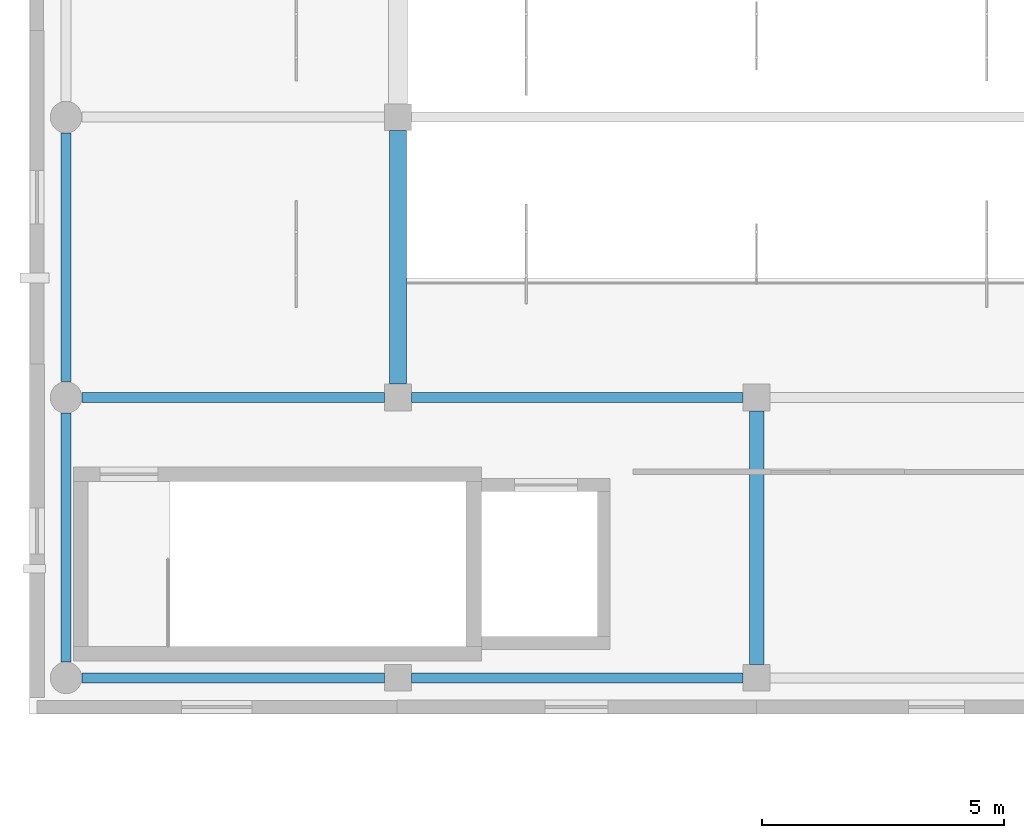
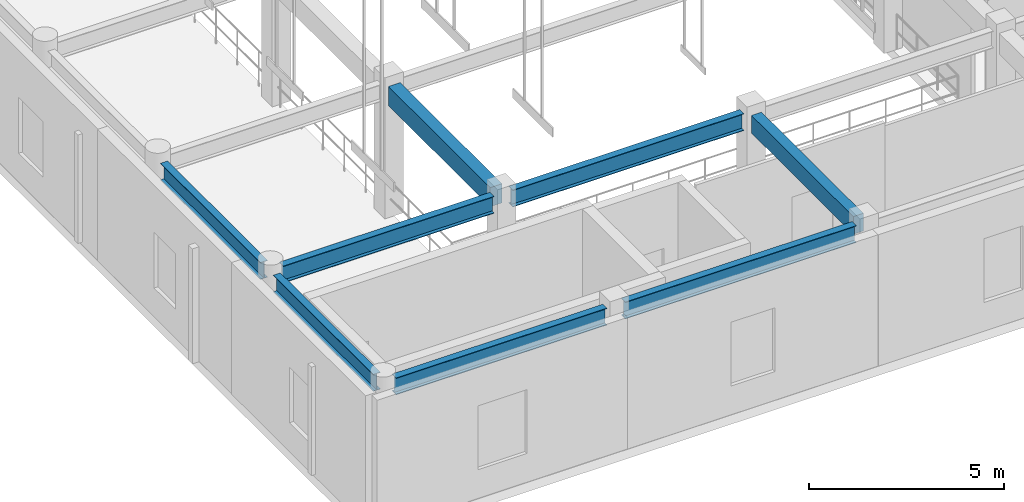
# One storey, part 27 of 142: 8 beams.
"""IFC4 building model written with IfcOpenShell, lengths in metres."""

from ifc_helpers import new_model, si_unit, direction, frame, origin, origin_2d, place, context, subcontext, project, spatial, rectangle, i_section, extrude, material, material_profile, profile_set, type_object, element, save


model = new_model("IFC4")

# Units and contexts
model_context = context("Model", 3, precision=1e-05, world=origin(), true_north=direction((0.0, 1.0)))
body_context = subcontext(model_context, "Body", "Model", "MODEL_VIEW")
ifc_project = project(units=[si_unit("LENGTHUNIT", "METRE"), si_unit("AREAUNIT", "SQUARE_METRE"), si_unit("VOLUMEUNIT", "CUBIC_METRE"), si_unit("PLANEANGLEUNIT", "RADIAN"), si_unit("MASSUNIT", "GRAM", prefix="KILO")], contexts=[model_context])

# Site, building, storey
site_placement = place(None, origin())
site = spatial("IfcSite", under=ifc_project, at=site_placement, CompositionType="ELEMENT")
building_placement = place(site_placement, origin())
building = spatial("IfcBuilding", under=site, at=building_placement, Name="Valcora Specialist Clinic", CompositionType="ELEMENT")
storey_placement = place(building_placement, frame((0.0, 0.0, 5.10009765625)))
storey = spatial("IfcBuildingStorey", under=building, at=storey_placement, Name="L01", CompositionType="ELEMENT", Elevation=5.10009765625)

# Beams
ifc_material_1 = material(Name="Steel ASTM A992 Grade 50", Category="steel")
ifc_material_profile_1 = material_profile(ifc_material_1, i_section(OverallWidth=0.208984375, OverallDepth=0.532958984375, WebThickness=0.010009765625, FlangeThickness=0.01611328125, at=origin_2d()), Name="ST-IR-530X210")
ifc_profile_set_1 = profile_set([ifc_material_profile_1], Name="Steel ASTM A992 Grade 50")
beam_type_1 = type_object("IfcBeamType", Name="TY-BM-IR530", PredefinedType="SPANDREL", material=ifc_profile_set_1)
beam_1_placement = place(storey_placement, frame((1.074951171875, 38.75, 3.849365234375), z_axis=(1.0, 0.0, 0.0), x_axis=(0.0, 1.0, 0.0)))
element("IfcBeam", 1, at=beam_1_placement, inside=storey, type_object=beam_type_1, Name="Beam BM-L01-0133", PredefinedType="SPANDREL", context=body_context, shape_type="SweptSolid", body=[
    extrude(i_section(OverallWidth=0.208984375, OverallDepth=0.532958984375, WebThickness=0.010009765625, FlangeThickness=0.01611328125, at=origin_2d()), origin(), (0.0, 0.0, 1.0), 6.25),
])
beam_2_placement = place(storey_placement, frame((7.875, 38.75, 3.849365234375), z_axis=(1.0, 0.0, 0.0), x_axis=(0.0, 1.0, 0.0)))
element("IfcBeam", 2, at=beam_2_placement, inside=storey, type_object=beam_type_1, Name="Beam BM-L01-0134", PredefinedType="SPANDREL", context=body_context, shape_type="SweptSolid", body=[
    extrude(i_section(OverallWidth=0.208984375, OverallDepth=0.532958984375, WebThickness=0.010009765625, FlangeThickness=0.01611328125, at=origin_2d()), origin(), (0.0, 0.0, 1.0), 6.85009765625),
])
beam_3_placement = place(storey_placement, frame((1.074951171875, 44.535888671875, 3.849365234375), z_axis=(1.0, 0.0, 0.0), x_axis=(0.0, 1.0, 0.0)))
element("IfcBeam", 3, at=beam_3_placement, inside=storey, type_object=beam_type_1, Name="Beam BM-L01-0137", PredefinedType="SPANDREL", context=body_context, shape_type="SweptSolid", body=[
    extrude(i_section(OverallWidth=0.208984375, OverallDepth=0.532958984375, WebThickness=0.010009765625, FlangeThickness=0.01611328125, at=origin_2d()), origin(), (0.0, 0.0, 1.0), 6.25),
])
beam_4_placement = place(storey_placement, frame((7.875, 44.535888671875, 3.849365234375), z_axis=(1.0, 0.0, 0.0), x_axis=(0.0, 1.0, 0.0)))
element("IfcBeam", 4, at=beam_4_placement, inside=storey, type_object=beam_type_1, Name="Beam BM-L01-0138", PredefinedType="SPANDREL", context=body_context, shape_type="SweptSolid", body=[
    extrude(i_section(OverallWidth=0.208984375, OverallDepth=0.532958984375, WebThickness=0.010009765625, FlangeThickness=0.01611328125, at=origin_2d()), origin(), (0.0, 0.0, 1.0), 6.85009765625),
])
beam_5_placement = place(storey_placement, frame((0.75, 39.074951171875, 3.849365234375), z_axis=(0.0, 1.0, 0.0), x_axis=(-1.0, 0.0, 0.0)))
element("IfcBeam", 5, at=beam_5_placement, inside=storey, type_object=beam_type_1, Name="Beam BM-L01-0161", PredefinedType="SPANDREL", context=body_context, shape_type="SweptSolid", body=[
    extrude(i_section(OverallWidth=0.208984375, OverallDepth=0.532958984375, WebThickness=0.010009765625, FlangeThickness=0.01611328125, at=origin_2d()), origin(), (0.0, 0.0, 1.0), 5.135986328125),
])
beam_6_placement = place(storey_placement, frame((0.75, 44.861083984375, 3.849365234375), z_axis=(0.0, 1.0, 0.0), x_axis=(-1.0, 0.0, 0.0)))
element("IfcBeam", 6, at=beam_6_placement, inside=storey, type_object=beam_type_1, Name="Beam BM-L01-0162", PredefinedType="SPANDREL", context=body_context, shape_type="SweptSolid", body=[
    extrude(i_section(OverallWidth=0.208984375, OverallDepth=0.532958984375, WebThickness=0.010009765625, FlangeThickness=0.01611328125, at=origin_2d()), origin(), (0.0, 0.0, 1.0), 5.135009765625),
])
ifc_material_2 = material(Name="Concrete C40/50", Category="concrete")
ifc_material_profile_2 = material_profile(ifc_material_2, rectangle(XDim=0.300048828125, YDim=0.550048828125, at=origin_2d()), Name="RC-BM-300X550")
ifc_profile_set_2 = profile_set([ifc_material_profile_2], Name="Concrete C40/50")
beam_type_2 = type_object("IfcBeamType", Name="TY-BM-RC300X550", PredefinedType="BEAM", material=ifc_profile_set_2)
beam_7_placement = place(storey_placement, frame((15.0, 39.02490234375, 3.844970703125), z_axis=(0.0, 1.0, 0.0), x_axis=(-1.0, 0.0, 0.0)))
element("IfcBeam", 7, at=beam_7_placement, inside=storey, type_object=beam_type_2, Name="Beam BM-L01-0173", PredefinedType="BEAM", context=body_context, shape_type="SweptSolid", body=[
    extrude(rectangle(XDim=0.300048828125, YDim=0.550048828125, at=origin_2d()), origin(), (0.0, 0.0, 1.0), 5.236083984375),
])
ifc_material_profile_3 = material_profile(ifc_material_2, rectangle(XDim=0.35009765625, YDim=0.60009765625, at=origin_2d()), Name="RC-BM-350X600")
ifc_profile_set_3 = profile_set([ifc_material_profile_3], Name="Concrete C40/50")
beam_type_3 = type_object("IfcBeamType", Name="TY-BM-RC350X600", PredefinedType="BEAM", material=ifc_profile_set_3)
beam_8_placement = place(storey_placement, frame((7.60009765625, 44.81103515625, 3.81982421875), z_axis=(0.0, 1.0, 0.0), x_axis=(-1.0, 0.0, 0.0)))
element("IfcBeam", 8, at=beam_8_placement, inside=storey, type_object=beam_type_3, Name="Beam BM-L01-0168", PredefinedType="BEAM", context=body_context, shape_type="SweptSolid", body=[
    extrude(rectangle(XDim=0.35009765625, YDim=0.60009765625, at=origin_2d()), origin(), (0.0, 0.0, 1.0), 5.23486328125),
])

save(model, "model.ifc")
